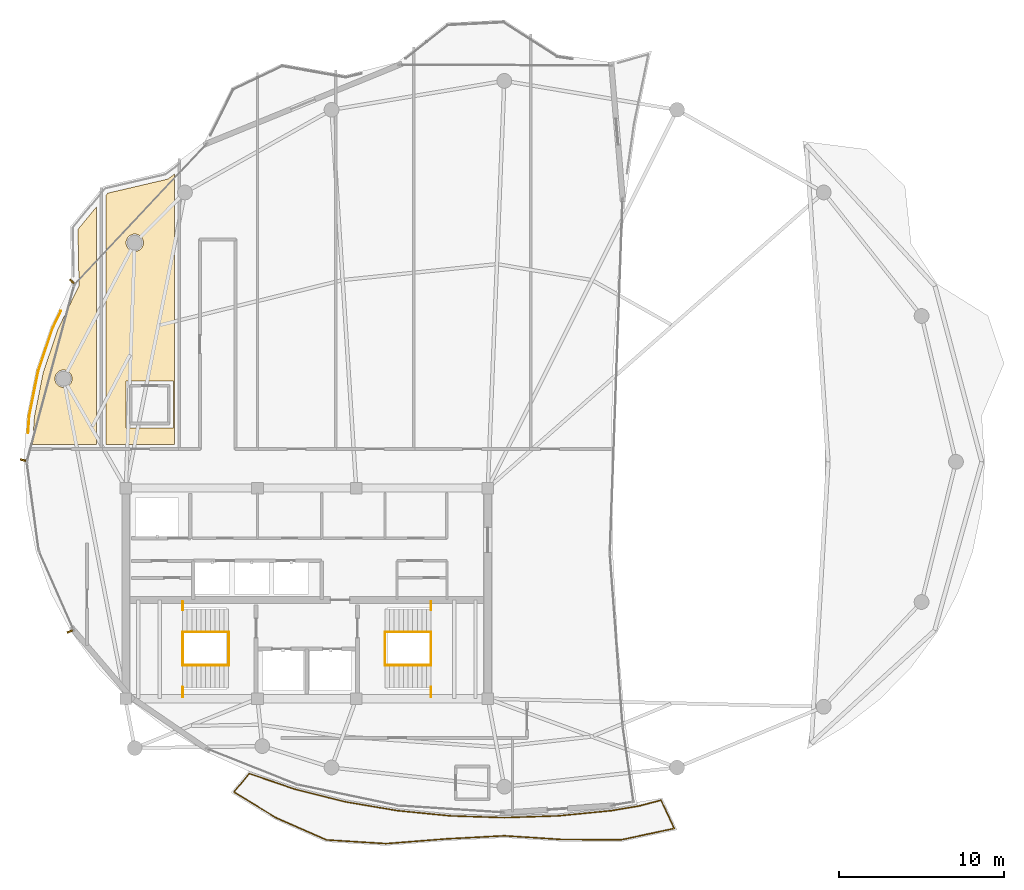
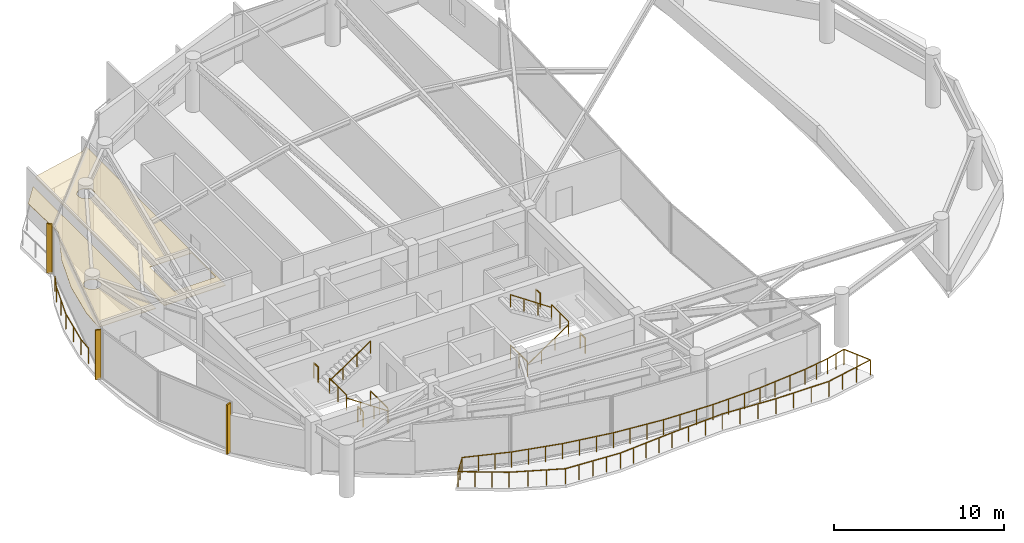
# One storey, part 22 of 23: 14 railings, 3 shading devices, 2 coverings.
"""IFC4 building model written with IfcOpenShell, lengths in metres."""

import ifcopenshell
import ifcopenshell.guid

model = None  # the IFC model being written
_history = None  # IfcOwnerHistory: only IFC2X3 demands one
_inside = {}  # id of a spatial element -> (the spatial element, [elements in it])
_under = {}  # id of a project, library or spatial element -> (it, [spatial elements below it])
_declared = {}  # id of a project -> (the project, [libraries it declares])
_typed = {}  # id of a type object -> (the type object, [elements of that type])
_made_of = {}  # id of a material, layer set ... -> (it, [elements and type objects made of it])


def new_model(schema):
    """Start an empty IFC model of exactly this schema.

    Asked for "IFC4X3", IfcOpenShell would pick the latest addendum, in which some entities
    have other attributes; the version numbers below select the first issue.
    IFC2X3 requires an IfcOwnerHistory on every rooted entity: one is made here for all.
    """
    global model, _history
    if schema == "IFC4X3":
        model = ifcopenshell.file(schema_version=(4, 3, 0, 0))
    else:
        model = ifcopenshell.file(schema=schema)
    _inside.clear()
    _under.clear()
    _declared.clear()
    _typed.clear()
    _made_of.clear()
    _history = None
    if model.schema == "IFC2X3":
        org = make("IfcOrganization", Name="unknown")
        user = make(
            "IfcPersonAndOrganization",
            ThePerson=make("IfcPerson", FamilyName="unknown"),
            TheOrganization=org,
        )
        app = make(
            "IfcApplication",
            ApplicationDeveloper=org,
            Version="unknown",
            ApplicationFullName="unknown",
            ApplicationIdentifier="unknown",
        )
        _history = make(
            "IfcOwnerHistory",
            OwningUser=user,
            OwningApplication=app,
            ChangeAction="ADDED",
            CreationDate=0,
        )
    return model


def make(cls, **values):
    """One entity of the class cls with the attributes given. An attribute that is None is left unset."""
    return model.create_entity(
        cls, **{name: value for name, value in values.items() if value is not None}
    )


def rooted(cls, **values):
    """An entity with a GlobalId (a new one), such as an element, a storey or a relation."""
    return make(cls, GlobalId=ifcopenshell.guid.new(), OwnerHistory=_history, **values)


def si_unit(unit_type, name, prefix=None):
    """IfcSIUnit, for example si_unit("LENGTHUNIT", "METRE", prefix="MILLI")."""
    return make("IfcSIUnit", UnitType=unit_type, Prefix=prefix, Name=name)


def assignment(units):
    """IfcUnitAssignment: the units of a project."""
    return None if units is None else make("IfcUnitAssignment", Units=units)


def point(xyz):
    """IfcCartesianPoint."""
    return None if xyz is None else make("IfcCartesianPoint", Coordinates=xyz)


def direction(xyz):
    """IfcDirection."""
    return None if xyz is None else make("IfcDirection", DirectionRatios=xyz)


def frame(location, z_axis=None, x_axis=None):
    """IfcAxis2Placement3D, a coordinate frame: its origin and axes. An axis left out is left unset."""
    return make(
        "IfcAxis2Placement3D",
        Location=point(location),
        Axis=direction(z_axis),
        RefDirection=direction(x_axis),
    )


def frame_2d(location, x_axis=None):
    """IfcAxis2Placement2D, a coordinate frame in the plane: its origin and x axis."""
    return make(
        "IfcAxis2Placement2D", Location=point(location), RefDirection=direction(x_axis)
    )


def origin():
    """The frame at (0, 0, 0) with its axes left unset."""
    return frame((0.0, 0.0, 0.0))


def origin_2d():
    """The frame at (0, 0) in the plane with its x axis left unset."""
    return frame_2d((0.0, 0.0))


def place(relative_to, where):
    """IfcLocalPlacement: puts the frame where relative to a parent placement (None: the world)."""
    return make(
        "IfcLocalPlacement", PlacementRelTo=relative_to, RelativePlacement=where
    )


def context(
    kind, dimensions, precision=None, world=None, true_north=None, identifier=None
):
    """IfcGeometricRepresentationContext, for example the 3D "Model" context."""
    return make(
        "IfcGeometricRepresentationContext",
        ContextIdentifier=identifier,
        ContextType=kind,
        CoordinateSpaceDimension=dimensions,
        Precision=precision,
        WorldCoordinateSystem=world,
        TrueNorth=true_north,
    )


def subcontext(parent, identifier, kind, view, scale=None):
    """IfcGeometricRepresentationSubContext, for example "Body" below "Model"."""
    return make(
        "IfcGeometricRepresentationSubContext",
        ContextIdentifier=identifier,
        ContextType=kind,
        ParentContext=parent,
        TargetScale=scale,
        TargetView=view,
    )


def project(units=None, contexts=None):
    """IfcProject with its units and contexts."""
    return rooted(
        "IfcProject",
        Name="project",
        RepresentationContexts=contexts,
        UnitsInContext=assignment(units),
    )


def spatial(cls, under=None, at=None, **own):
    """A site, building, storey or space (cls), placed at a placement, below another one or the project."""
    s = rooted(cls, ObjectPlacement=at, **own)
    if under is not None:
        _under.setdefault(under.id(), (under, []))[1].append(s)
    return s


def polyline(points):
    """IfcPolyline through the points."""
    return make("IfcPolyline", Points=[point(p) for p in points])


def profile(cls, at=None, kind="AREA", **sizes):
    """A parametric profile (cls). Its sizes go by their IFC names, for example OverallWidth=200.0."""
    return make(cls, ProfileType=kind, Position=at, **sizes)


def rectangle(**sizes):
    """IfcRectangleProfileDef."""
    return profile("IfcRectangleProfileDef", **sizes)


def outline(outer, holes=None, kind="AREA"):
    """IfcArbitraryClosedProfileDef: a profile drawn as a closed curve; with holes, ...WithVoids."""
    if holes is None:
        return make("IfcArbitraryClosedProfileDef", ProfileType=kind, OuterCurve=outer)
    return make(
        "IfcArbitraryProfileDefWithVoids",
        ProfileType=kind,
        OuterCurve=outer,
        InnerCurves=holes,
    )


def extrude(swept, where, along, depth):
    """IfcExtrudedAreaSolid: the profile swept, set in the frame where, extruded along a direction by depth."""
    return make(
        "IfcExtrudedAreaSolid",
        SweptArea=swept,
        Position=where,
        ExtrudedDirection=direction(along),
        Depth=depth,
    )


def shape(context_of_items, identifier, shape_type, items):
    """IfcShapeRepresentation: the items that make up one representation, for example the "Body"."""
    return make(
        "IfcShapeRepresentation",
        ContextOfItems=context_of_items,
        RepresentationIdentifier=identifier,
        RepresentationType=shape_type,
        Items=items,
    )


def material(Name=None, Category=None):
    """IfcMaterial."""
    return make("IfcMaterial", Name=Name, Category=Category)


def layer(
    of_material, thickness, ventilated=None, Name=None, Category=None, Priority=None
):
    """IfcMaterialLayer: one layer of a wall or slab, of a material (None: an air gap)."""
    return make(
        "IfcMaterialLayer",
        Material=of_material,
        LayerThickness=thickness,
        IsVentilated=ventilated,
        Name=Name,
        Category=Category,
        Priority=Priority,
    )


def layer_set(layers, Name=None):
    """IfcMaterialLayerSet."""
    return make("IfcMaterialLayerSet", MaterialLayers=layers, LayerSetName=Name)


def made_of(thing, what):
    """Note that an element or type object is made of a material, layer set ...; save() writes the relation."""
    if what is not None:
        _made_of.setdefault(what.id(), (what, []))[1].append(thing)
    return thing


def type_object(cls, material=None, **own):
    """A type object (cls), such as IfcWallType, which elements share."""
    return made_of(rooted(cls, **own), material)


def element(
    cls,
    number,
    at=None,
    inside=None,
    cuts=None,
    type_object=None,
    material=None,
    context=None,
    identifier="Body",
    shape_type=None,
    held_by="IfcProductDefinitionShape",
    body=None,
    shapes=None,
    **own,
):
    """One element of the class cls, such as IfcWall. Its Tag is "e" and its number.

    at: its placement. inside: the storey or other place that contains it. cuts: it is an
    opening in that element (IfcRelVoidsElement). A single representation is given by context,
    identifier, shape_type and body (its items); several are given by shapes. held_by: the class
    of the entity that holds the representations. save() writes the other relations.
    """
    e = rooted(cls, Tag="e%d" % number, ObjectPlacement=at, **own)
    if body is not None:
        shapes = [shape(context, identifier, shape_type, body)]
    if shapes is not None:
        e.Representation = make(held_by, Representations=shapes)
    if inside is not None:
        _inside.setdefault(inside.id(), (inside, []))[1].append(e)
    if cuts is not None:
        rooted(
            "IfcRelVoidsElement", RelatingBuildingElement=cuts, RelatedOpeningElement=e
        )
    if type_object is not None:
        _typed.setdefault(type_object.id(), (type_object, []))[1].append(e)
    return made_of(e, material)


def aggregate(whole, parts):
    """IfcRelAggregates: a whole, such as a stair, and the parts it consists of."""
    return rooted("IfcRelAggregates", RelatingObject=whole, RelatedObjects=parts)


def save(model, path):
    """Write the relations noted so far, then the file.

    IfcRelAggregates (storeys below a building ...), IfcRelContainedInSpatialStructure (elements
    in a storey), IfcRelDefinesByType, IfcRelAssociatesMaterial and IfcRelDeclares: one each for
    every whole, place, type object, material and project.
    """
    for whole, parts in _under.values():
        aggregate(whole, parts)
    for where, things in _inside.values():
        rooted(
            "IfcRelContainedInSpatialStructure",
            RelatedElements=things,
            RelatingStructure=where,
        )
    for kind, things in _typed.values():
        rooted("IfcRelDefinesByType", RelatedObjects=things, RelatingType=kind)
    for what, things in _made_of.values():
        rooted("IfcRelAssociatesMaterial", RelatedObjects=things, RelatingMaterial=what)
    for by, libraries in _declared.values():
        rooted("IfcRelDeclares", RelatingContext=by, RelatedDefinitions=libraries)
    model.write(path)


model = new_model("IFC4")

# Units and contexts
model_context = context("Model", 3, precision=1e-05, world=origin(), true_north=direction((0.0, 1.0)))
body_context = subcontext(model_context, "Body", "Model", "MODEL_VIEW")
ifc_project = project(units=[si_unit("LENGTHUNIT", "METRE"), si_unit("AREAUNIT", "SQUARE_METRE"), si_unit("VOLUMEUNIT", "CUBIC_METRE"), si_unit("PLANEANGLEUNIT", "RADIAN"), si_unit("MASSUNIT", "GRAM", prefix="KILO")], contexts=[model_context])

# Site, building, storey
site_placement = place(None, origin())
site = spatial("IfcSite", under=ifc_project, at=site_placement, CompositionType="ELEMENT")
building_placement = place(site_placement, origin())
building = spatial("IfcBuilding", under=site, at=building_placement, Name="Kazevale Care Tower and Concert Hall", CompositionType="ELEMENT")
storey_placement = place(building_placement, frame((0.0, 0.0, 266.199951171875)))
storey = spatial("IfcBuildingStorey", under=building, at=storey_placement, Name="L70", CompositionType="ELEMENT", Elevation=266.199951171875)

# Coverings
ifc_material_1 = material(Name="Acoustic Plaster and Hinoki Wood", Category="wood")
ifc_layer = layer(ifc_material_1, 0.0400390625)
ifc_layer_set = layer_set([ifc_layer], Name="Acoustic Plaster and Hinoki Wood")
covering_type = type_object("IfcCoveringType", Name="Acoustic Perforated Wood-Gypsum Ceiling", PredefinedType="CEILING", material=ifc_layer_set)
covering_1_placement = place(storey_placement, frame((0.0, 0.0, 2.91015625)))
element("IfcCovering", 1, at=covering_1_placement, inside=storey, type_object=covering_type, Name="clg:L70:1", PredefinedType="CEILING", context=body_context, shape_type="SweptSolid", body=[
    extrude(outline(polyline([(16.97705078125, 43.422119140625), (17.864990234375, 46.049072265625), (19.154052734375, 48.701904296875), (19.087890625, 52.1240234375), (20.219970703125, 53.5), (20.219970703125, 39.054931640625), (16.330078125, 39.054931640625), (16.44091796875, 40.72802734375), (16.97705078125, 43.422119140625)]), holes=[polyline([(18.72998046875, 43.153076171875), (18.65087890625, 43.343994140625), (18.50390625, 43.490966796875), (18.31298828125, 43.570068359375), (18.10693359375, 43.570068359375), (17.916015625, 43.490966796875), (17.76904296875, 43.343994140625), (17.68994140625, 43.153076171875), (17.68994140625, 42.947021484375), (17.76904296875, 42.756103515625), (17.916015625, 42.60888671875), (18.10693359375, 42.530029296875), (18.31298828125, 42.530029296875), (18.50390625, 42.60888671875), (18.65087890625, 42.756103515625), (18.72998046875, 42.947021484375), (18.72998046875, 43.153076171875)])]), origin(), (0.0, 0.0, 1.0), 0.039794921875),
])
covering_2_placement = place(storey_placement, frame((0.0, 0.0, 2.91015625)))
element("IfcCovering", 2, at=covering_2_placement, inside=storey, type_object=covering_type, Name="clg:L70:2", PredefinedType="CEILING", context=body_context, shape_type="SweptSolid", body=[
    extrude(outline(polyline([(24.969970703125, 55.4990234375), (24.969970703125, 39.054931640625), (20.780029296875, 39.054931640625), (20.780029296875, 54.179931640625), (20.902099609375, 54.327880859375), (24.552978515625, 55.180908203125), (24.969970703125, 55.4990234375)]), holes=[polyline([(22.02001953125, 42.905029296875), (22.02001953125, 40.044921875), (24.8798828125, 40.044921875), (24.8798828125, 42.905029296875), (22.02001953125, 42.905029296875)]), polyline([(23.06005859375, 51.4130859375), (22.98095703125, 51.60400390625), (22.833984375, 51.7509765625), (22.64306640625, 51.830078125), (22.43701171875, 51.830078125), (22.24609375, 51.7509765625), (22.09912109375, 51.60400390625), (22.02001953125, 51.4130859375), (22.02001953125, 51.20703125), (22.09912109375, 51.01611328125), (22.24609375, 50.868896484375), (22.43701171875, 50.7900390625), (22.64306640625, 50.7900390625), (22.833984375, 50.868896484375), (22.98095703125, 51.01611328125), (23.06005859375, 51.20703125), (23.06005859375, 51.4130859375)])]), origin(), (0.0, 0.0, 1.0), 0.039794921875),
])

# Railings
ifc_material_2 = material(Name="Anodised Bronze Aluminium and Laminated Glass", Category="aluminium")
railing_type_1 = type_object("IfcRailingType", Name="Balcony and Terrace Balustrade 1120", PredefinedType="BALUSTRADE", material=ifc_material_2)
railing_1_placement = place(storey_placement, frame((16.054931640625, 39.743896484375, 0.0)))
element("IfcRailing", 3, at=railing_1_placement, inside=storey, type_object=railing_type_1, Name="rail:L70:perim:1", PredefinedType="BALUSTRADE", context=body_context, shape_type="SweptSolid", body=[
    extrude(rectangle(XDim=0.048095703125, YDim=0.048095703125, at=origin_2d()), frame((0.0, 0.0, 1.09619140625), z_axis=(0.066235385006, 0.997804025735, 0.0), x_axis=(-0.997804025735, 0.066235385006, 0.0)), (0.0, 0.0, 1.0), 1.0283203125),
    extrude(rectangle(XDim=0.048095703125, YDim=0.048095703125, at=origin_2d()), frame((0.068115234375, 1.026123046875, 1.09619140625), z_axis=(0.195408959087, 0.980721845738, 0.0), x_axis=(-0.980721845738, 0.195408959087, 0.0)), (0.0, 0.0, 1.0), 2.78857421875),
    extrude(rectangle(XDim=0.048095703125, YDim=0.048095703125, at=origin_2d()), frame((0.613037109375, 3.760986328125, 1.09619140625), z_axis=(0.31989547797, 0.947452839552, 0.0), x_axis=(-0.947452839552, 0.31989547797, 0.0)), (0.0, 0.0, 1.0), 2.81396484375),
    extrude(rectangle(XDim=0.048095703125, YDim=0.048095703125, at=origin_2d()), frame((1.51318359375, 6.427001953125, 1.09619140625), z_axis=(0.437310151281, 0.899310753626, 0.0), x_axis=(-0.899310753626, 0.437310151281, 0.0)), (0.0, 0.0, 1.0), 1.09765625),
    extrude(rectangle(XDim=0.0419921875, YDim=0.0419921875, at=origin_2d()), origin(), (0.0, 0.0, 1.0), 1.072021484375),
    extrude(rectangle(XDim=0.0419921875, YDim=0.0419921875, at=origin_2d()), frame((0.068115234375, 1.026123046875, 0.0)), (0.0, 0.0, 1.0), 1.072021484375),
    extrude(rectangle(XDim=0.0419921875, YDim=0.0419921875, at=origin_2d()), frame((0.340576171875, 2.3935546875, 0.0)), (0.0, 0.0, 1.0), 1.072021484375),
    extrude(rectangle(XDim=0.0419921875, YDim=0.0419921875, at=origin_2d()), frame((0.613037109375, 3.760986328125, 0.0)), (0.0, 0.0, 1.0), 1.072021484375),
    extrude(rectangle(XDim=0.0419921875, YDim=0.0419921875, at=origin_2d()), frame((1.06298828125, 5.093994140625, 0.0)), (0.0, 0.0, 1.0), 1.072021484375),
    extrude(rectangle(XDim=0.0419921875, YDim=0.0419921875, at=origin_2d()), frame((1.51318359375, 6.427001953125, 0.0)), (0.0, 0.0, 1.0), 1.072021484375),
    extrude(rectangle(XDim=0.0419921875, YDim=0.0419921875, at=origin_2d()), frame((1.9931640625, 7.4140625, 0.0)), (0.0, 0.0, 1.0), 1.072021484375),
])
railing_2_placement = place(storey_placement, frame((29.5009765625, 19.052978515625, 0.0)))
element("IfcRailing", 4, at=railing_2_placement, inside=storey, type_object=railing_type_1, Name="rail:L70:balcony", PredefinedType="BALUSTRADE", context=body_context, shape_type="SweptSolid", body=[
    extrude(rectangle(XDim=0.048095703125, YDim=0.048095703125, at=origin_2d()), frame((0.0, 0.0, 1.09619140625), z_axis=(0.94573422454, -0.324941189347, 0.0), x_axis=(0.324941189347, 0.94573422454, 0.0)), (0.0, 0.0, 1.0), 2.954345703125),
    extrude(rectangle(XDim=0.048095703125, YDim=0.048095703125, at=origin_2d()), frame((2.7939453125, -0.9599609375, 1.09619140625), z_axis=(0.970197562423, -0.242315269572, 0.0), x_axis=(0.242315269572, 0.970197562423, 0.0)), (0.0, 0.0, 1.0), 3.12841796875),
    extrude(rectangle(XDim=0.048095703125, YDim=0.048095703125, at=origin_2d()), frame((5.8291015625, -1.718017578125, 1.09619140625), z_axis=(0.985888464626, -0.167403510471, 0.0), x_axis=(0.167403510471, 0.985888464626, 0.0)), (0.0, 0.0, 1.0), 3.201171875),
    extrude(rectangle(XDim=0.048095703125, YDim=0.048095703125, at=origin_2d()), frame((8.985107421875, -2.25390625, 1.09619140625), z_axis=(0.995202326145, -0.097838285119, 0.0), x_axis=(0.097838285119, 0.995202326145, 0.0)), (0.0, 0.0, 1.0), 3.25146484375),
    extrude(rectangle(XDim=0.048095703125, YDim=0.048095703125, at=origin_2d()), frame((12.220947265625, -2.572021484375, 1.09619140625), z_axis=(0.999478023027, -0.032306059581, 0.0), x_axis=(0.032306059581, 0.999478023027, 0.0)), (0.0, 0.0, 1.0), 3.27978515625),
    extrude(rectangle(XDim=0.048095703125, YDim=0.048095703125, at=origin_2d()), frame((15.4990234375, -2.677978515625, 1.09619140625), z_axis=(0.999478023027, 0.032306059581, 0.0), x_axis=(-0.032306059581, 0.999478023027, 0.0)), (0.0, 0.0, 1.0), 3.27978515625),
    extrude(rectangle(XDim=0.048095703125, YDim=0.048095703125, at=origin_2d()), frame((18.777099609375, -2.572021484375, 1.09619140625), z_axis=(0.995202326145, 0.097838285119, 0.0), x_axis=(-0.097838285119, 0.995202326145, 0.0)), (0.0, 0.0, 1.0), 3.25146484375),
    extrude(rectangle(XDim=0.048095703125, YDim=0.048095703125, at=origin_2d()), frame((22.012939453125, -2.25390625, 1.09619140625), z_axis=(0.985939740956, 0.16710124836, 0.0), x_axis=(-0.16710124836, 0.985939740956, 0.0)), (0.0, 0.0, 1.0), 1.728515625),
    extrude(rectangle(XDim=0.048095703125, YDim=0.048095703125, at=origin_2d()), frame((23.717041015625, -1.965087890625, 1.09619140625), z_axis=(0.966966654094, 0.254902902829, 0.0), x_axis=(-0.254902902829, 0.966966654094, 0.0)), (0.0, 0.0, 1.0), 1.349609375),
    extrude(rectangle(XDim=0.048095703125, YDim=0.048095703125, at=origin_2d()), frame((25.02197265625, -1.62109375, 1.09619140625), z_axis=(0.425238777564, -0.905081201913, 0.0), x_axis=(0.905081201913, 0.425238777564, 0.0)), (0.0, 0.0, 1.0), 1.895751953125),
    extrude(rectangle(XDim=0.048095703125, YDim=0.048095703125, at=origin_2d()), frame((25.828125, -3.3369140625, 1.09619140625), z_axis=(-0.977895567534, -0.209093899953, 0.0), x_axis=(0.209093899953, -0.977895567534, 0.0)), (0.0, 0.0, 1.0), 3.294921875),
    extrude(rectangle(XDim=0.048095703125, YDim=0.048095703125, at=origin_2d()), frame((22.60595703125, -4.02587890625, 1.09619140625), z_axis=(-0.999988904073, 0.004710810021, 0.0), x_axis=(-0.004710810021, -0.999988904073, 0.0)), (0.0, 0.0, 1.0), 3.575927734375),
    extrude(rectangle(XDim=0.048095703125, YDim=0.048095703125, at=origin_2d()), frame((19.030029296875, -4.009033203125, 1.09619140625), z_axis=(-0.99795552401, 0.063912221816, 0.0), x_axis=(-0.063912221816, -0.99795552401, 0.0)), (0.0, 0.0, 1.0), 3.537353515625),
    extrude(rectangle(XDim=0.048095703125, YDim=0.048095703125, at=origin_2d()), frame((15.5, -3.782958984375, 1.09619140625), z_axis=(-0.998584231616, -0.0531933489, 0.0), x_axis=(0.0531933489, -0.998584231616, 0.0)), (0.0, 0.0, 1.0), 3.533935546875),
    extrude(rectangle(XDim=0.048095703125, YDim=0.048095703125, at=origin_2d()), frame((11.970947265625, -3.970947265625, 1.09619140625), z_axis=(-0.996902124899, -0.07865210341, 0.0), x_axis=(0.07865210341, -0.996902124899, 0.0)), (0.0, 0.0, 1.0), 3.67529296875),
    extrude(rectangle(XDim=0.048095703125, YDim=0.048095703125, at=origin_2d()), frame((8.30712890625, -4.260009765625, 1.09619140625), z_axis=(-0.998042096958, 0.062545764836, 0.0), x_axis=(-0.062545764836, -0.998042096958, 0.0)), (0.0, 0.0, 1.0), 3.630126953125),
    extrude(rectangle(XDim=0.048095703125, YDim=0.048095703125, at=origin_2d()), frame((4.68408203125, -4.032958984375, 1.09619140625), z_axis=(-0.91514434411, 0.403126319463, 0.0), x_axis=(-0.403126319463, -0.91514434411, 0.0)), (0.0, 0.0, 1.0), 3.333984375),
    extrude(rectangle(XDim=0.048095703125, YDim=0.048095703125, at=origin_2d()), frame((1.633056640625, -2.68896484375, 1.09619140625), z_axis=(-0.853767960585, 0.520653694386, 0.0), x_axis=(-0.520653694386, -0.853767960585, 0.0)), (0.0, 0.0, 1.0), 3.001953125),
    extrude(rectangle(XDim=0.048095703125, YDim=0.048095703125, at=origin_2d()), frame((-0.929931640625, -1.1259765625, 1.09619140625), z_axis=(0.636790714265, 0.771036695771, 0.0), x_axis=(-0.771036695771, 0.636790714265, 0.0)), (0.0, 0.0, 1.0), 1.46044921875),
    extrude(rectangle(XDim=0.0419921875, YDim=0.0419921875, at=origin_2d()), origin(), (0.0, 0.0, 1.0), 1.072021484375),
    extrude(rectangle(XDim=0.0419921875, YDim=0.0419921875, at=origin_2d()), frame((0.931396484375, -0.320068359375, 0.0)), (0.0, 0.0, 1.0), 1.072021484375),
    extrude(rectangle(XDim=0.0419921875, YDim=0.0419921875, at=origin_2d()), frame((1.862548828125, -0.639892578125, 0.0)), (0.0, 0.0, 1.0), 1.072021484375),
    extrude(rectangle(XDim=0.0419921875, YDim=0.0419921875, at=origin_2d()), frame((2.7939453125, -0.9599609375, 0.0)), (0.0, 0.0, 1.0), 1.072021484375),
    extrude(rectangle(XDim=0.0419921875, YDim=0.0419921875, at=origin_2d()), frame((3.8056640625, -1.212646484375, 0.0)), (0.0, 0.0, 1.0), 1.072021484375),
    extrude(rectangle(XDim=0.0419921875, YDim=0.0419921875, at=origin_2d()), frame((4.8173828125, -1.46533203125, 0.0)), (0.0, 0.0, 1.0), 1.072021484375),
    extrude(rectangle(XDim=0.0419921875, YDim=0.0419921875, at=origin_2d()), frame((5.8291015625, -1.718017578125, 0.0)), (0.0, 0.0, 1.0), 1.072021484375),
    extrude(rectangle(XDim=0.0419921875, YDim=0.0419921875, at=origin_2d()), frame((6.881103515625, -1.896728515625, 0.0)), (0.0, 0.0, 1.0), 1.072021484375),
    extrude(rectangle(XDim=0.0419921875, YDim=0.0419921875, at=origin_2d()), frame((7.93310546875, -2.0751953125, 0.0)), (0.0, 0.0, 1.0), 1.072021484375),
    extrude(rectangle(XDim=0.0419921875, YDim=0.0419921875, at=origin_2d()), frame((8.985107421875, -2.25390625, 0.0)), (0.0, 0.0, 1.0), 1.072021484375),
    extrude(rectangle(XDim=0.0419921875, YDim=0.0419921875, at=origin_2d()), frame((10.063720703125, -2.35986328125, 0.0)), (0.0, 0.0, 1.0), 1.072021484375),
    extrude(rectangle(XDim=0.0419921875, YDim=0.0419921875, at=origin_2d()), frame((11.142333984375, -2.466064453125, 0.0)), (0.0, 0.0, 1.0), 1.072021484375),
    extrude(rectangle(XDim=0.0419921875, YDim=0.0419921875, at=origin_2d()), frame((12.220947265625, -2.572021484375, 0.0)), (0.0, 0.0, 1.0), 1.072021484375),
    extrude(rectangle(XDim=0.0419921875, YDim=0.0419921875, at=origin_2d()), frame((13.313720703125, -2.607421875, 0.0)), (0.0, 0.0, 1.0), 1.072021484375),
    extrude(rectangle(XDim=0.0419921875, YDim=0.0419921875, at=origin_2d()), frame((14.40625, -2.642578125, 0.0)), (0.0, 0.0, 1.0), 1.072021484375),
    extrude(rectangle(XDim=0.0419921875, YDim=0.0419921875, at=origin_2d()), frame((15.4990234375, -2.677978515625, 0.0)), (0.0, 0.0, 1.0), 1.072021484375),
    extrude(rectangle(XDim=0.0419921875, YDim=0.0419921875, at=origin_2d()), frame((16.591796875, -2.642578125, 0.0)), (0.0, 0.0, 1.0), 1.072021484375),
    extrude(rectangle(XDim=0.0419921875, YDim=0.0419921875, at=origin_2d()), frame((17.684326171875, -2.607421875, 0.0)), (0.0, 0.0, 1.0), 1.072021484375),
    extrude(rectangle(XDim=0.0419921875, YDim=0.0419921875, at=origin_2d()), frame((18.777099609375, -2.572021484375, 0.0)), (0.0, 0.0, 1.0), 1.072021484375),
    extrude(rectangle(XDim=0.0419921875, YDim=0.0419921875, at=origin_2d()), frame((19.855712890625, -2.466064453125, 0.0)), (0.0, 0.0, 1.0), 1.072021484375),
    extrude(rectangle(XDim=0.0419921875, YDim=0.0419921875, at=origin_2d()), frame((20.934326171875, -2.35986328125, 0.0)), (0.0, 0.0, 1.0), 1.072021484375),
    extrude(rectangle(XDim=0.0419921875, YDim=0.0419921875, at=origin_2d()), frame((22.012939453125, -2.25390625, 0.0)), (0.0, 0.0, 1.0), 1.072021484375),
    extrude(rectangle(XDim=0.0419921875, YDim=0.0419921875, at=origin_2d()), frame((22.864990234375, -2.109375, 0.0)), (0.0, 0.0, 1.0), 1.072021484375),
    extrude(rectangle(XDim=0.0419921875, YDim=0.0419921875, at=origin_2d()), frame((23.717041015625, -1.965087890625, 0.0)), (0.0, 0.0, 1.0), 1.072021484375),
    extrude(rectangle(XDim=0.0419921875, YDim=0.0419921875, at=origin_2d()), frame((24.36962890625, -1.79296875, 0.0)), (0.0, 0.0, 1.0), 1.072021484375),
    extrude(rectangle(XDim=0.0419921875, YDim=0.0419921875, at=origin_2d()), frame((25.02197265625, -1.62109375, 0.0)), (0.0, 0.0, 1.0), 1.072021484375),
    extrude(rectangle(XDim=0.0419921875, YDim=0.0419921875, at=origin_2d()), frame((25.425048828125, -2.47900390625, 0.0)), (0.0, 0.0, 1.0), 1.072021484375),
    extrude(rectangle(XDim=0.0419921875, YDim=0.0419921875, at=origin_2d()), frame((25.828125, -3.3369140625, 0.0)), (0.0, 0.0, 1.0), 1.072021484375),
    extrude(rectangle(XDim=0.0419921875, YDim=0.0419921875, at=origin_2d()), frame((24.754150390625, -3.566650390625, 0.0)), (0.0, 0.0, 1.0), 1.072021484375),
    extrude(rectangle(XDim=0.0419921875, YDim=0.0419921875, at=origin_2d()), frame((23.679931640625, -3.796142578125, 0.0)), (0.0, 0.0, 1.0), 1.072021484375),
    extrude(rectangle(XDim=0.0419921875, YDim=0.0419921875, at=origin_2d()), frame((22.60595703125, -4.02587890625, 0.0)), (0.0, 0.0, 1.0), 1.072021484375),
    extrude(rectangle(XDim=0.0419921875, YDim=0.0419921875, at=origin_2d()), frame((21.4140625, -4.020263671875, 0.0)), (0.0, 0.0, 1.0), 1.072021484375),
    extrude(rectangle(XDim=0.0419921875, YDim=0.0419921875, at=origin_2d()), frame((20.221923828125, -4.0146484375, 0.0)), (0.0, 0.0, 1.0), 1.072021484375),
    extrude(rectangle(XDim=0.0419921875, YDim=0.0419921875, at=origin_2d()), frame((19.030029296875, -4.009033203125, 0.0)), (0.0, 0.0, 1.0), 1.072021484375),
    extrude(rectangle(XDim=0.0419921875, YDim=0.0419921875, at=origin_2d()), frame((17.853271484375, -3.93359375, 0.0)), (0.0, 0.0, 1.0), 1.072021484375),
    extrude(rectangle(XDim=0.0419921875, YDim=0.0419921875, at=origin_2d()), frame((16.6767578125, -3.8583984375, 0.0)), (0.0, 0.0, 1.0), 1.072021484375),
    extrude(rectangle(XDim=0.0419921875, YDim=0.0419921875, at=origin_2d()), frame((15.5, -3.782958984375, 0.0)), (0.0, 0.0, 1.0), 1.072021484375),
    extrude(rectangle(XDim=0.0419921875, YDim=0.0419921875, at=origin_2d()), frame((14.32373046875, -3.845703125, 0.0)), (0.0, 0.0, 1.0), 1.072021484375),
    extrude(rectangle(XDim=0.0419921875, YDim=0.0419921875, at=origin_2d()), frame((13.147216796875, -3.908203125, 0.0)), (0.0, 0.0, 1.0), 1.072021484375),
    extrude(rectangle(XDim=0.0419921875, YDim=0.0419921875, at=origin_2d()), frame((11.970947265625, -3.970947265625, 0.0)), (0.0, 0.0, 1.0), 1.072021484375),
    extrude(rectangle(XDim=0.0419921875, YDim=0.0419921875, at=origin_2d()), frame((11.054931640625, -4.043212890625, 0.0)), (0.0, 0.0, 1.0), 1.072021484375),
    extrude(rectangle(XDim=0.0419921875, YDim=0.0419921875, at=origin_2d()), frame((10.13916015625, -4.115478515625, 0.0)), (0.0, 0.0, 1.0), 1.072021484375),
    extrude(rectangle(XDim=0.0419921875, YDim=0.0419921875, at=origin_2d()), frame((9.22314453125, -4.187744140625, 0.0)), (0.0, 0.0, 1.0), 1.072021484375),
    extrude(rectangle(XDim=0.0419921875, YDim=0.0419921875, at=origin_2d()), frame((8.30712890625, -4.260009765625, 0.0)), (0.0, 0.0, 1.0), 1.072021484375),
    extrude(rectangle(XDim=0.0419921875, YDim=0.0419921875, at=origin_2d()), frame((7.4013671875, -4.203125, 0.0)), (0.0, 0.0, 1.0), 1.072021484375),
    extrude(rectangle(XDim=0.0419921875, YDim=0.0419921875, at=origin_2d()), frame((6.49560546875, -4.146484375, 0.0)), (0.0, 0.0, 1.0), 1.072021484375),
    extrude(rectangle(XDim=0.0419921875, YDim=0.0419921875, at=origin_2d()), frame((5.58984375, -4.08984375, 0.0)), (0.0, 0.0, 1.0), 1.072021484375),
    extrude(rectangle(XDim=0.0419921875, YDim=0.0419921875, at=origin_2d()), frame((4.68408203125, -4.032958984375, 0.0)), (0.0, 0.0, 1.0), 1.072021484375),
    extrude(rectangle(XDim=0.0419921875, YDim=0.0419921875, at=origin_2d()), frame((3.6669921875, -3.5849609375, 0.0)), (0.0, 0.0, 1.0), 1.072021484375),
    extrude(rectangle(XDim=0.0419921875, YDim=0.0419921875, at=origin_2d()), frame((2.650146484375, -3.136962890625, 0.0)), (0.0, 0.0, 1.0), 1.072021484375),
    extrude(rectangle(XDim=0.0419921875, YDim=0.0419921875, at=origin_2d()), frame((1.633056640625, -2.68896484375, 0.0)), (0.0, 0.0, 1.0), 1.072021484375),
    extrude(rectangle(XDim=0.0419921875, YDim=0.0419921875, at=origin_2d()), frame((0.77880859375, -2.16796875, 0.0)), (0.0, 0.0, 1.0), 1.072021484375),
    extrude(rectangle(XDim=0.0419921875, YDim=0.0419921875, at=origin_2d()), frame((-0.07568359375, -1.64697265625, 0.0)), (0.0, 0.0, 1.0), 1.072021484375),
    extrude(rectangle(XDim=0.0419921875, YDim=0.0419921875, at=origin_2d()), frame((-0.929931640625, -1.1259765625, 0.0)), (0.0, 0.0, 1.0), 1.072021484375),
    extrude(rectangle(XDim=0.0419921875, YDim=0.0419921875, at=origin_2d()), frame((-0.46484375, -0.56298828125, 0.0)), (0.0, 0.0, 1.0), 1.072021484375),
])
ifc_material_3 = material(Name="Stainless Steel 316", Category="steel")
railing_type_2 = type_object("IfcRailingType", Name="Stair Pitch Handrail 920", PredefinedType="HANDRAIL", material=ifc_material_3)
railing_3_placement = place(storey_placement, frame((28.25, 25.639892578125, 0.0)))
element("IfcRailing", 5, at=railing_3_placement, inside=storey, type_object=railing_type_2, Name="stair:L70:ST1:hr1", PredefinedType="HANDRAIL", context=body_context, shape_type="SweptSolid", body=[
    extrude(rectangle(XDim=0.048095703125, YDim=0.048095703125, at=origin_2d()), frame((0.0, 0.0, 0.89599609375), z_axis=(-0.827460210367, 0.0, 0.56152435411), x_axis=(0.0, -1.0, 0.0)), (0.0, 0.0, 1.0), 3.3837890625),
    extrude(rectangle(XDim=0.0419921875, YDim=0.0419921875, at=origin_2d()), origin(), (0.0, 0.0, 1.0), 0.871826171875),
    extrude(rectangle(XDim=0.0419921875, YDim=0.0419921875, at=origin_2d()), frame((-0.933349609375, 0.0, 0.63330078125)), (0.0, 0.0, 1.0), 0.871826171875),
    extrude(rectangle(XDim=0.0419921875, YDim=0.0419921875, at=origin_2d()), frame((-1.86669921875, 0.0, 1.266845703125)), (0.0, 0.0, 1.0), 0.871826171875),
    extrude(rectangle(XDim=0.0419921875, YDim=0.0419921875, at=origin_2d()), frame((-2.800048828125, 0.0, 1.900146484375)), (0.0, 0.0, 1.0), 0.871826171875),
])
railing_4_placement = place(storey_placement, frame((25.449951171875, 27.659912109375, 1.900146484375)))
element("IfcRailing", 6, at=railing_4_placement, inside=storey, type_object=railing_type_2, Name="stair:L70:ST1:hr2", PredefinedType="HANDRAIL", context=body_context, shape_type="SweptSolid", body=[
    extrude(rectangle(XDim=0.048095703125, YDim=0.048095703125, at=origin_2d()), frame((0.0, 0.0, 0.89599609375), z_axis=(0.827493732819, 0.0, 0.561474952376), x_axis=(0.0, 1.0, 0.0)), (0.0, 0.0, 1.0), 3.3837890625),
    extrude(rectangle(XDim=0.0419921875, YDim=0.0419921875, at=origin_2d()), origin(), (0.0, 0.0, 1.0), 0.871826171875),
    extrude(rectangle(XDim=0.0419921875, YDim=0.0419921875, at=origin_2d()), frame((0.933349609375, 0.0, 0.63330078125)), (0.0, 0.0, 1.0), 0.871826171875),
    extrude(rectangle(XDim=0.0419921875, YDim=0.0419921875, at=origin_2d()), frame((1.86669921875, 0.0, 1.2666015625)), (0.0, 0.0, 1.0), 0.871826171875),
    extrude(rectangle(XDim=0.0419921875, YDim=0.0419921875, at=origin_2d()), frame((2.800048828125, 0.0, 1.89990234375)), (0.0, 0.0, 1.0), 0.871826171875),
])
railing_5_placement = place(storey_placement, frame((37.75, 25.639892578125, 0.0)))
element("IfcRailing", 7, at=railing_5_placement, inside=storey, type_object=railing_type_2, Name="stair:L70:ST2:hr1", PredefinedType="HANDRAIL", context=body_context, shape_type="SweptSolid", body=[
    extrude(rectangle(XDim=0.048095703125, YDim=0.048095703125, at=origin_2d()), frame((0.0, 0.0, 0.89599609375), z_axis=(0.827460210367, 0.0, 0.56152435411), x_axis=(0.0, 1.0, 0.0)), (0.0, 0.0, 1.0), 3.3837890625),
    extrude(rectangle(XDim=0.0419921875, YDim=0.0419921875, at=origin_2d()), origin(), (0.0, 0.0, 1.0), 0.871826171875),
    extrude(rectangle(XDim=0.0419921875, YDim=0.0419921875, at=origin_2d()), frame((0.933349609375, 0.0, 0.63330078125)), (0.0, 0.0, 1.0), 0.871826171875),
    extrude(rectangle(XDim=0.0419921875, YDim=0.0419921875, at=origin_2d()), frame((1.86669921875, 0.0, 1.266845703125)), (0.0, 0.0, 1.0), 0.871826171875),
    extrude(rectangle(XDim=0.0419921875, YDim=0.0419921875, at=origin_2d()), frame((2.800048828125, 0.0, 1.900146484375)), (0.0, 0.0, 1.0), 0.871826171875),
])
railing_6_placement = place(storey_placement, frame((40.550048828125, 27.659912109375, 1.900146484375)))
element("IfcRailing", 8, at=railing_6_placement, inside=storey, type_object=railing_type_2, Name="stair:L70:ST2:hr2", PredefinedType="HANDRAIL", context=body_context, shape_type="SweptSolid", body=[
    extrude(rectangle(XDim=0.048095703125, YDim=0.048095703125, at=origin_2d()), frame((0.0, 0.0, 0.89599609375), z_axis=(-0.827493732819, 0.0, 0.561474952376), x_axis=(0.0, -1.0, 0.0)), (0.0, 0.0, 1.0), 3.3837890625),
    extrude(rectangle(XDim=0.0419921875, YDim=0.0419921875, at=origin_2d()), origin(), (0.0, 0.0, 1.0), 0.871826171875),
    extrude(rectangle(XDim=0.0419921875, YDim=0.0419921875, at=origin_2d()), frame((-0.933349609375, 0.0, 0.63330078125)), (0.0, 0.0, 1.0), 0.871826171875),
    extrude(rectangle(XDim=0.0419921875, YDim=0.0419921875, at=origin_2d()), frame((-1.86669921875, 0.0, 1.2666015625)), (0.0, 0.0, 1.0), 0.871826171875),
    extrude(rectangle(XDim=0.0419921875, YDim=0.0419921875, at=origin_2d()), frame((-2.800048828125, 0.0, 1.89990234375)), (0.0, 0.0, 1.0), 0.871826171875),
])
railing_type_3 = type_object("IfcRailingType", Name="Stair Well Guard Balustrade 1120", PredefinedType="BALUSTRADE", material=ifc_material_3)
railing_7_placement = place(storey_placement, frame((25.449951171875, 23.699951171875, 1.900146484375)))
element("IfcRailing", 9, at=railing_7_placement, inside=storey, type_object=railing_type_3, Name="stair:L70:ST1:grd_side1", PredefinedType="BALUSTRADE", context=body_context, shape_type="SweptSolid", body=[
    extrude(rectangle(XDim=0.048095703125, YDim=0.048095703125, at=origin_2d()), frame((0.0, 0.0, 1.09619140625), z_axis=(0.0, 1.0, 0.0), x_axis=(-1.0, 0.0, 0.0)), (0.0, 0.0, 1.0), 0.610107421875),
    extrude(rectangle(XDim=0.0419921875, YDim=0.0419921875, at=origin_2d()), origin(), (0.0, 0.0, 1.0), 1.072021484375),
    extrude(rectangle(XDim=0.0419921875, YDim=0.0419921875, at=origin_2d()), frame((0.0, 0.610107421875, 0.0)), (0.0, 0.0, 1.0), 1.072021484375),
])
railing_8_placement = place(storey_placement, frame((25.449951171875, 28.989990234375, 1.900146484375)))
element("IfcRailing", 10, at=railing_8_placement, inside=storey, type_object=railing_type_3, Name="stair:L70:ST1:grd_side2", PredefinedType="BALUSTRADE", context=body_context, shape_type="SweptSolid", body=[
    extrude(rectangle(XDim=0.048095703125, YDim=0.048095703125, at=origin_2d()), frame((0.0, 0.0, 1.09619140625), z_axis=(0.0, 1.0, 0.0), x_axis=(-1.0, 0.0, 0.0)), (0.0, 0.0, 1.0), 0.510009765625),
    extrude(rectangle(XDim=0.0419921875, YDim=0.0419921875, at=origin_2d()), origin(), (0.0, 0.0, 1.0), 1.072021484375),
    extrude(rectangle(XDim=0.0419921875, YDim=0.0419921875, at=origin_2d()), frame((0.0, 0.510009765625, 0.0)), (0.0, 0.0, 1.0), 1.072021484375),
])
for number, where, name in (
    (11, (25.449951171875, 25.639892578125, 1.900146484375), "stair:L70:ST1:grd_mid"),
    (12, (28.25, 25.639892578125, 0.0), "stair:L70:ST1:grd_flr"),
):
    element("IfcRailing", number, at=place(storey_placement, frame(where)), inside=storey, type_object=railing_type_3, Name=name, PredefinedType="BALUSTRADE", context=body_context, shape_type="SweptSolid", body=[
        extrude(rectangle(XDim=0.048095703125, YDim=0.048095703125, at=origin_2d()), frame((0.0, 0.0, 1.09619140625), z_axis=(0.0, 1.0, 0.0), x_axis=(-1.0, 0.0, 0.0)), (0.0, 0.0, 1.0), 2.02001953125),
        extrude(rectangle(XDim=0.0419921875, YDim=0.0419921875, at=origin_2d()), origin(), (0.0, 0.0, 1.0), 1.072021484375),
        extrude(rectangle(XDim=0.0419921875, YDim=0.0419921875, at=origin_2d()), frame((0.0, 1.010009765625, 0.0)), (0.0, 0.0, 1.0), 1.072021484375),
        extrude(rectangle(XDim=0.0419921875, YDim=0.0419921875, at=origin_2d()), frame((0.0, 2.02001953125, 0.0)), (0.0, 0.0, 1.0), 1.072021484375),
    ])
railing_9_placement = place(storey_placement, frame((40.550048828125, 23.699951171875, 1.900146484375)))
element("IfcRailing", 13, at=railing_9_placement, inside=storey, type_object=railing_type_3, Name="stair:L70:ST2:grd_side1", PredefinedType="BALUSTRADE", context=body_context, shape_type="SweptSolid", body=[
    extrude(rectangle(XDim=0.048095703125, YDim=0.048095703125, at=origin_2d()), frame((0.0, 0.0, 1.09619140625), z_axis=(0.0, 1.0, 0.0), x_axis=(-1.0, 0.0, 0.0)), (0.0, 0.0, 1.0), 0.610107421875),
    extrude(rectangle(XDim=0.0419921875, YDim=0.0419921875, at=origin_2d()), origin(), (0.0, 0.0, 1.0), 1.072021484375),
    extrude(rectangle(XDim=0.0419921875, YDim=0.0419921875, at=origin_2d()), frame((0.0, 0.610107421875, 0.0)), (0.0, 0.0, 1.0), 1.072021484375),
])
railing_10_placement = place(storey_placement, frame((40.550048828125, 28.989990234375, 1.900146484375)))
element("IfcRailing", 14, at=railing_10_placement, inside=storey, type_object=railing_type_3, Name="stair:L70:ST2:grd_side2", PredefinedType="BALUSTRADE", context=body_context, shape_type="SweptSolid", body=[
    extrude(rectangle(XDim=0.048095703125, YDim=0.048095703125, at=origin_2d()), frame((0.0, 0.0, 1.09619140625), z_axis=(0.0, 1.0, 0.0), x_axis=(-1.0, 0.0, 0.0)), (0.0, 0.0, 1.0), 0.510009765625),
    extrude(rectangle(XDim=0.0419921875, YDim=0.0419921875, at=origin_2d()), origin(), (0.0, 0.0, 1.0), 1.072021484375),
    extrude(rectangle(XDim=0.0419921875, YDim=0.0419921875, at=origin_2d()), frame((0.0, 0.510009765625, 0.0)), (0.0, 0.0, 1.0), 1.072021484375),
])
for number, where, name in (
    (15, (40.550048828125, 25.639892578125, 1.900146484375), "stair:L70:ST2:grd_mid"),
    (16, (37.75, 25.639892578125, 0.0), "stair:L70:ST2:grd_flr"),
):
    element("IfcRailing", number, at=place(storey_placement, frame(where)), inside=storey, type_object=railing_type_3, Name=name, PredefinedType="BALUSTRADE", context=body_context, shape_type="SweptSolid", body=[
        extrude(rectangle(XDim=0.048095703125, YDim=0.048095703125, at=origin_2d()), frame((0.0, 0.0, 1.09619140625), z_axis=(0.0, 1.0, 0.0), x_axis=(-1.0, 0.0, 0.0)), (0.0, 0.0, 1.0), 2.02001953125),
        extrude(rectangle(XDim=0.0419921875, YDim=0.0419921875, at=origin_2d()), origin(), (0.0, 0.0, 1.0), 1.072021484375),
        extrude(rectangle(XDim=0.0419921875, YDim=0.0419921875, at=origin_2d()), frame((0.0, 1.010009765625, 0.0)), (0.0, 0.0, 1.0), 1.072021484375),
        extrude(rectangle(XDim=0.0419921875, YDim=0.0419921875, at=origin_2d()), frame((0.0, 2.02001953125, 0.0)), (0.0, 0.0, 1.0), 1.072021484375),
    ])

# Shading devices
ifc_material_4 = material(Name="Anodised Bronze Aluminium", Category="aluminium")
shading_device_type = type_object("IfcShadingDeviceType", Name="Waist Anodised Bronze-Stone Fin FIN-02", PredefinedType="USERDEFINED", material=ifc_material_4)
for number, where, z_axis, x_axis, name in (
    (17, (18.594482421875, 27.684326171875, 0.0), (0.0, 0.0, 1.0), (-0.91495966785, -0.403545296352, 0.0), "cw:L70:f07:fin"),
    (18, (15.7431640625, 38.10498046875, 0.0), (0.0, 0.0, 1.0), (-0.965744901133, 0.259493325415, 0.0), "cw:L70:f09:fin"),
    (19, (18.7138671875, 48.968505859375, 0.0), (0.0, 0.0, 1.0), (-0.728968627421, 0.684547105929, 0.0), "cw:L70:f10:fin"),
):
    element("IfcShadingDevice", number, at=place(storey_placement, frame(where, z_axis=z_axis, x_axis=x_axis)), inside=storey, type_object=shading_device_type, Name=name, ObjectType="FIN", PredefinedType="USERDEFINED", context=body_context, shape_type="SweptSolid", body=[
        extrude(rectangle(XDim=0.340087890625, YDim=0.10009765625, at=origin_2d()), origin(), (0.0, 0.0, 1.0), 3.56005859375),
    ])

save(model, "model.ifc")
